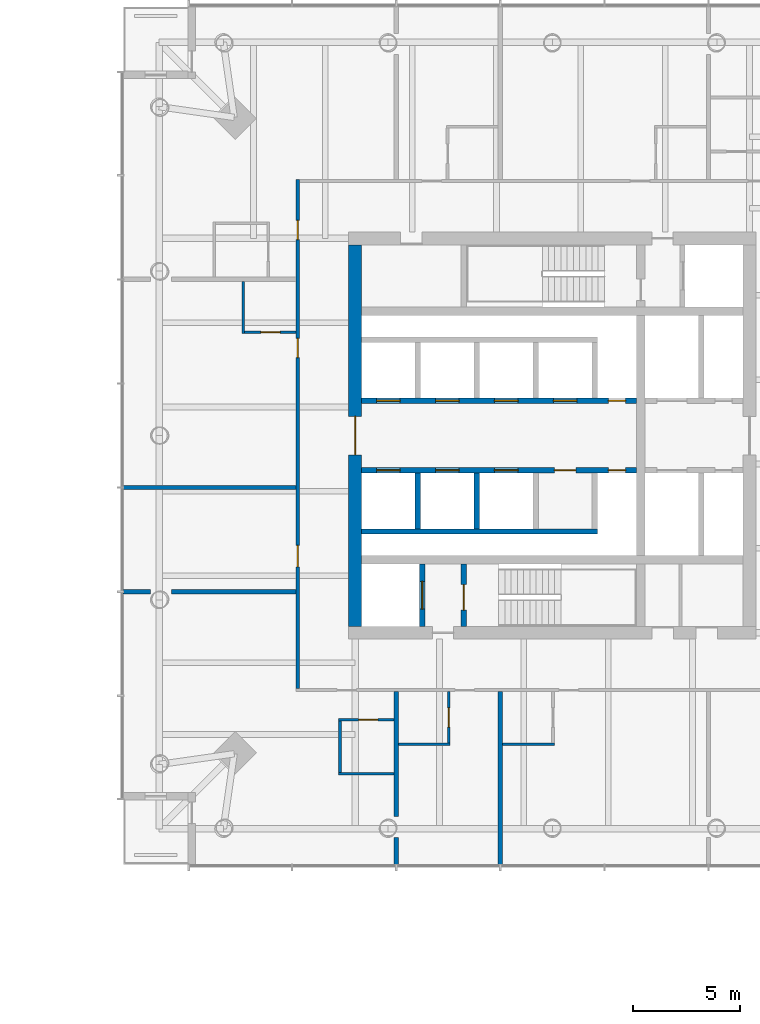
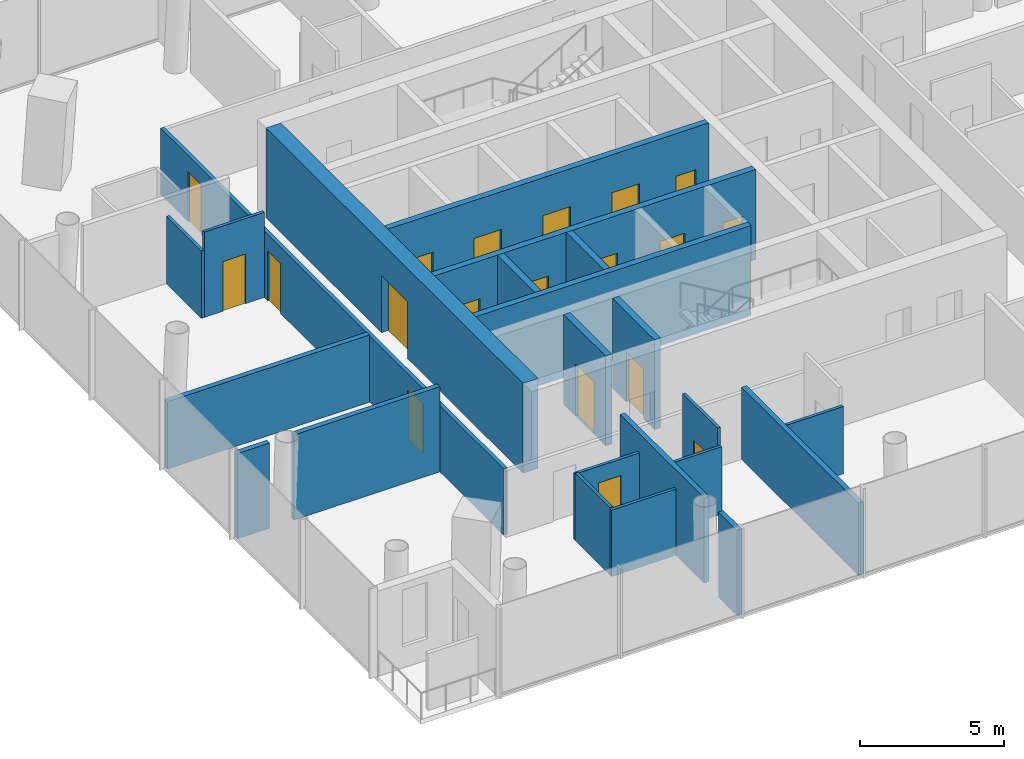
# One storey, part 13 of 26: 23 walls, 19 doors, 19 openings.
"""IFC4 building model written with IfcOpenShell, lengths in metres."""

from ifc_helpers import new_model, si_unit, direction, frame, frame_2d, origin, place, context, subcontext, project, spatial, rectangle, extrude, material, layer, layer_set, type_object, element, fill, save


model = new_model("IFC4")

# Units and contexts
model_context = context("Model", 3, precision=1e-05, world=origin(), true_north=direction((0.0, 1.0)))
body_context = subcontext(model_context, "Body", "Model", "MODEL_VIEW")
ifc_project = project(units=[si_unit("LENGTHUNIT", "METRE"), si_unit("AREAUNIT", "SQUARE_METRE"), si_unit("VOLUMEUNIT", "CUBIC_METRE"), si_unit("PLANEANGLEUNIT", "RADIAN"), si_unit("MASSUNIT", "GRAM", prefix="KILO")], contexts=[model_context])

# Site, building, storey
site_placement = place(None, origin())
site = spatial("IfcSite", under=ifc_project, at=site_placement, CompositionType="ELEMENT")
building_placement = place(site_placement, origin())
building = spatial("IfcBuilding", under=site, at=building_placement, Name="Ostroluk Exchange", CompositionType="ELEMENT")
storey_placement = place(building_placement, frame((0.0, 0.0, 36.199951171875)))
storey = spatial("IfcBuildingStorey", under=building, at=storey_placement, Name="L08", CompositionType="ELEMENT", Elevation=36.199951171875)

# Wall, opening, door
ifc_material_1 = material(Name="Concrete C40/50", Category="concrete")
ifc_layer_1 = layer(ifc_material_1, 0.25)
ifc_layer_set_1 = layer_set([ifc_layer_1], Name="Core shaft wall 250")
wall_type_1 = type_object("IfcWallType", Name="Core shaft wall 250", PredefinedType="SHEAR", material=ifc_layer_set_1)
wall_1_placement = place(storey_placement, frame((110.925048828125, 37.10009765625, 0.0), z_axis=(0.0, 0.0, 1.0), x_axis=(0.0, 1.0, 0.0)))
wall_1 = element("IfcWall", 1, at=wall_1_placement, inside=storey, type_object=wall_type_1, Name="Firefighting lift shaft wall", PredefinedType="SHEAR", context=body_context, shape_type="SweptSolid", body=[
    extrude(rectangle(XDim=2.89990234375, YDim=0.25, at=frame_2d((1.449951171875, 0.0))), origin(), (0.0, 0.0, 1.0), 3.800048828125),
])
opening_1_placement = place(wall_1_placement, frame((0.800048828125, 0.0, 0.0)))
opening_1 = element("IfcOpeningElement", 2, at=opening_1_placement, cuts=wall_1, Name="Opening LD2", PredefinedType="OPENING", context=body_context, shape_type="SweptSolid", body=[
    extrude(rectangle(XDim=1.300048828125, YDim=2.199951171875, at=frame_2d((0.64990234375, 1.10009765625))), frame((0.0, 0.135009765625, 0.0), z_axis=(0.0, -1.0, 0.0), x_axis=(1.0, 0.0, 0.0)), (0.0, 0.0, 1.0), 0.27001953125),
])
ifc_material_2 = material(Name="Stainless steel", Category="steel")
door_type_1 = type_object("IfcDoorType", Name="Lift landing door E 60 1300 x 2200", OperationType="DOUBLE_DOOR_SLIDING", PredefinedType="DOOR", material=ifc_material_2)
door_1_placement = place(opening_1_placement, origin())
door_1 = element("IfcDoor", 3, at=door_1_placement, inside=storey, type_object=door_type_1, Name="Lift HF1 landing door", OperationType="DOUBLE_DOOR_SLIDING", OverallHeight=2.199951171875, OverallWidth=1.300048828125, PredefinedType="DOOR", context=body_context, shape_type="SweptSolid", body=[
    extrude(rectangle(XDim=1.300048828125, YDim=2.199951171875, at=frame_2d((0.64990234375, 1.10009765625))), frame((0.0, 0.02490234375, 0.0), z_axis=(0.0, -1.0, 0.0), x_axis=(1.0, 0.0, 0.0)), (0.0, 0.0, 1.0), 0.050048828125),
])
fill(opening_1, door_1)

wall_2_placement = place(storey_placement, frame((112.875, 37.10009765625, 0.0), z_axis=(0.0, 0.0, 1.0), x_axis=(0.0, 1.0, 0.0)))
wall_2 = element("IfcWall", 4, at=wall_2_placement, inside=storey, type_object=wall_type_1, Name="Stair shaft wall", PredefinedType="SHEAR", context=body_context, shape_type="SweptSolid", body=[
    extrude(rectangle(XDim=2.89990234375, YDim=0.25, at=frame_2d((1.449951171875, 0.0))), origin(), (0.0, 0.0, 1.0), 3.800048828125),
])
opening_2_placement = place(wall_2_placement, frame((0.75, 0.0, 0.0)))
opening_2 = element("IfcOpeningElement", 5, at=opening_2_placement, cuts=wall_2, Name="Opening FD60S", PredefinedType="OPENING", context=body_context, shape_type="SweptSolid", body=[
    extrude(rectangle(XDim=1.199951171875, YDim=2.10009765625, at=frame_2d((0.60009765625, 1.050048828125))), frame((0.0, 0.135009765625, 0.0), z_axis=(0.0, -1.0, 0.0), x_axis=(1.0, 0.0, 0.0)), (0.0, 0.0, 1.0), 0.27001953125),
])
ifc_material_3 = material(Name="Steel", Category="steel")
door_type_2 = type_object("IfcDoorType", Name="Stair door EI 60 1200 x 2100", OperationType="SINGLE_SWING_LEFT", PredefinedType="DOOR", material=ifc_material_3)
door_2_placement = place(opening_2_placement, origin())
door_2 = element("IfcDoor", 6, at=door_2_placement, inside=storey, type_object=door_type_2, Name="Stair T2-S1 door", OperationType="SINGLE_SWING_LEFT", OverallHeight=2.10009765625, OverallWidth=1.199951171875, PredefinedType="DOOR", context=body_context, shape_type="SweptSolid", body=[
    extrude(rectangle(XDim=1.199951171875, YDim=2.10009765625, at=frame_2d((0.60009765625, 1.050048828125))), frame((0.0, 0.02490234375, 0.0), z_axis=(0.0, -1.0, 0.0), x_axis=(1.0, 0.0, 0.0)), (0.0, 0.0, 1.0), 0.050048828125),
])
fill(opening_2, door_2)

# Wall, openings, doors
wall_3_placement = place(storey_placement, frame((108.10009765625, 47.625, 0.0), z_axis=(0.0, 0.0, 1.0), x_axis=(1.0, 0.0, 0.0)))
wall_3 = element("IfcWall", 7, at=wall_3_placement, inside=storey, type_object=wall_type_1, Name="Lift shaft front wall", PredefinedType="SHEAR", context=body_context, shape_type="SweptSolid", body=[
    extrude(rectangle(XDim=12.829833984375, YDim=0.25, at=frame_2d((6.4150390625, 0.0))), origin(), (0.0, 0.0, 1.0), 3.800048828125),
])
opening_3_placement = place(wall_3_placement, frame((0.699951171875, 0.0, 0.0)))
opening_3 = element("IfcOpeningElement", 8, at=opening_3_placement, cuts=wall_3, Name="Opening LD", PredefinedType="OPENING", context=body_context, shape_type="SweptSolid", body=[
    extrude(rectangle(XDim=1.10009765625, YDim=2.199951171875, at=frame_2d((0.550048828125, 1.10009765625))), frame((0.0, 0.135009765625, 0.0), z_axis=(0.0, -1.0, 0.0), x_axis=(1.0, 0.0, 0.0)), (0.0, 0.0, 1.0), 0.27001953125),
])
opening_4_placement = place(wall_3_placement, frame((3.449951171875, 0.0, 0.0)))
opening_4 = element("IfcOpeningElement", 9, at=opening_4_placement, cuts=wall_3, Name="Opening LD", PredefinedType="OPENING", context=body_context, shape_type="SweptSolid", body=[
    extrude(rectangle(XDim=1.10009765625, YDim=2.199951171875, at=frame_2d((0.550048828125, 1.10009765625))), frame((0.0, 0.135009765625, 0.0), z_axis=(0.0, -1.0, 0.0), x_axis=(1.0, 0.0, 0.0)), (0.0, 0.0, 1.0), 0.27001953125),
])
opening_5_placement = place(wall_3_placement, frame((6.199951171875, 0.0, 0.0)))
opening_5 = element("IfcOpeningElement", 10, at=opening_5_placement, cuts=wall_3, Name="Opening LD", PredefinedType="OPENING", context=body_context, shape_type="SweptSolid", body=[
    extrude(rectangle(XDim=1.10009765625, YDim=2.199951171875, at=frame_2d((0.550048828125, 1.10009765625))), frame((0.0, 0.135009765625, 0.0), z_axis=(0.0, -1.0, 0.0), x_axis=(1.0, 0.0, 0.0)), (0.0, 0.0, 1.0), 0.27001953125),
])
opening_6_placement = place(wall_3_placement, frame((8.949951171875, 0.0, 0.0)))
opening_6 = element("IfcOpeningElement", 11, at=opening_6_placement, cuts=wall_3, Name="Opening LD", PredefinedType="OPENING", context=body_context, shape_type="SweptSolid", body=[
    extrude(rectangle(XDim=1.10009765625, YDim=2.199951171875, at=frame_2d((0.550048828125, 1.10009765625))), frame((0.0, 0.135009765625, 0.0), z_axis=(0.0, -1.0, 0.0), x_axis=(1.0, 0.0, 0.0)), (0.0, 0.0, 1.0), 0.27001953125),
])
opening_7_placement = place(wall_3_placement, frame((11.514892578125, 0.0, 0.0)))
opening_7 = element("IfcOpeningElement", 12, at=opening_7_placement, cuts=wall_3, Name="Opening RD60", PredefinedType="OPENING", context=body_context, shape_type="SweptSolid", body=[
    extrude(rectangle(XDim=0.800048828125, YDim=2.0, at=frame_2d((0.39990234375, 1.0))), frame((0.0, 0.135009765625, 0.0), z_axis=(0.0, -1.0, 0.0), x_axis=(1.0, 0.0, 0.0)), (0.0, 0.0, 1.0), 0.27001953125),
])
ifc_material_4 = material(Name="Stainless steel", Category="steel")
door_type_3 = type_object("IfcDoorType", Name="Lift landing door E 60 1100 x 2200", OperationType="DOUBLE_DOOR_SLIDING", PredefinedType="DOOR", material=ifc_material_4)
door_3_placement = place(opening_3_placement, origin())
door_3 = element("IfcDoor", 13, at=door_3_placement, inside=storey, type_object=door_type_3, Name="Lift HL1 landing door", OperationType="DOUBLE_DOOR_SLIDING", OverallHeight=2.199951171875, OverallWidth=1.10009765625, PredefinedType="DOOR", context=body_context, shape_type="SweptSolid", body=[
    extrude(rectangle(XDim=1.10009765625, YDim=2.199951171875, at=frame_2d((0.550048828125, 1.10009765625))), frame((0.0, 0.02490234375, 0.0), z_axis=(0.0, -1.0, 0.0), x_axis=(1.0, 0.0, 0.0)), (0.0, 0.0, 1.0), 0.050048828125),
])
fill(opening_3, door_3)
door_4_placement = place(opening_4_placement, origin())
door_4 = element("IfcDoor", 14, at=door_4_placement, inside=storey, type_object=door_type_3, Name="Lift HL2 landing door", OperationType="DOUBLE_DOOR_SLIDING", OverallHeight=2.199951171875, OverallWidth=1.10009765625, PredefinedType="DOOR", context=body_context, shape_type="SweptSolid", body=[
    extrude(rectangle(XDim=1.10009765625, YDim=2.199951171875, at=frame_2d((0.550048828125, 1.10009765625))), frame((0.0, 0.02490234375, 0.0), z_axis=(0.0, -1.0, 0.0), x_axis=(1.0, 0.0, 0.0)), (0.0, 0.0, 1.0), 0.050048828125),
])
fill(opening_4, door_4)
door_5_placement = place(opening_5_placement, origin())
door_5 = element("IfcDoor", 15, at=door_5_placement, inside=storey, type_object=door_type_3, Name="Lift HL3 landing door", OperationType="DOUBLE_DOOR_SLIDING", OverallHeight=2.199951171875, OverallWidth=1.10009765625, PredefinedType="DOOR", context=body_context, shape_type="SweptSolid", body=[
    extrude(rectangle(XDim=1.10009765625, YDim=2.199951171875, at=frame_2d((0.550048828125, 1.10009765625))), frame((0.0, 0.02490234375, 0.0), z_axis=(0.0, -1.0, 0.0), x_axis=(1.0, 0.0, 0.0)), (0.0, 0.0, 1.0), 0.050048828125),
])
fill(opening_5, door_5)
door_6_placement = place(opening_6_placement, origin())
door_6 = element("IfcDoor", 16, at=door_6_placement, inside=storey, type_object=door_type_3, Name="Lift HL4 landing door", OperationType="DOUBLE_DOOR_SLIDING", OverallHeight=2.199951171875, OverallWidth=1.10009765625, PredefinedType="DOOR", context=body_context, shape_type="SweptSolid", body=[
    extrude(rectangle(XDim=1.10009765625, YDim=2.199951171875, at=frame_2d((0.550048828125, 1.10009765625))), frame((0.0, 0.02490234375, 0.0), z_axis=(0.0, -1.0, 0.0), x_axis=(1.0, 0.0, 0.0)), (0.0, 0.0, 1.0), 0.050048828125),
])
fill(opening_6, door_6)
ifc_material_5 = material(Name="Steel", Category="steel")
door_type_4 = type_object("IfcDoorType", Name="Riser access door EI 60 800 x 2000", OperationType="SINGLE_SWING_LEFT", PredefinedType="DOOR", material=ifc_material_5)
door_7_placement = place(opening_7_placement, origin())
door_7 = element("IfcDoor", 17, at=door_7_placement, inside=storey, type_object=door_type_4, Name="Riser access door", OperationType="SINGLE_SWING_RIGHT", OverallHeight=2.0, OverallWidth=0.800048828125, PredefinedType="DOOR", context=body_context, shape_type="SweptSolid", body=[
    extrude(rectangle(XDim=0.800048828125, YDim=2.0, at=frame_2d((0.39990234375, 1.0))), frame((0.0, 0.02490234375, 0.0), z_axis=(0.0, -1.0, 0.0), x_axis=(1.0, 0.0, 0.0)), (0.0, 0.0, 1.0), 0.050048828125),
])
fill(opening_7, door_7)

# Walls
for number, where, z_axis, x_axis, name in (
    (18, (110.72509765625, 44.25, 0.0), (0.0, 0.0, 1.0), (0.0, -1.0, 0.0), "Lift shaft wall"),
    (19, (113.47509765625, 44.25, 0.0), (0.0, 0.0, 1.0), (0.0, -1.0, 0.0), "Lift shaft wall"),
):
    element("IfcWall", number, at=place(storey_placement, frame(where, z_axis=z_axis, x_axis=x_axis)), inside=storey, type_object=wall_type_1, Name=name, PredefinedType="SHEAR", context=body_context, shape_type="SweptSolid", body=[
        extrude(rectangle(XDim=2.60009765625, YDim=0.25, at=frame_2d((1.300048828125, 0.0))), origin(), (0.0, 0.0, 1.0), 3.800048828125),
    ])
wall_4_placement = place(storey_placement, frame((108.10009765625, 41.52490234375, 0.0), z_axis=(0.0, 0.0, 1.0), x_axis=(1.0, 0.0, 0.0)))
element("IfcWall", 20, at=wall_4_placement, inside=storey, type_object=wall_type_1, Name="Lift shaft wall", PredefinedType="SHEAR", context=body_context, shape_type="SweptSolid", body=[
    extrude(rectangle(XDim=11.0, YDim=0.25, at=frame_2d((5.5, 0.0))), origin(), (0.0, 0.0, 1.0), 3.800048828125),
])

# Wall, openings, doors
wall_5_placement = place(storey_placement, frame((108.10009765625, 44.375, 0.0), z_axis=(0.0, 0.0, 1.0), x_axis=(1.0, 0.0, 0.0)))
wall_5 = element("IfcWall", 21, at=wall_5_placement, inside=storey, type_object=wall_type_1, Name="Lift shaft front wall", PredefinedType="SHEAR", context=body_context, shape_type="SweptSolid", body=[
    extrude(rectangle(XDim=12.829833984375, YDim=0.25, at=frame_2d((6.4150390625, 0.0))), origin(), (0.0, 0.0, 1.0), 3.800048828125),
])
opening_8_placement = place(wall_5_placement, frame((0.699951171875, 0.0, 0.0)))
opening_8 = element("IfcOpeningElement", 22, at=opening_8_placement, cuts=wall_5, Name="Opening LD", PredefinedType="OPENING", context=body_context, shape_type="SweptSolid", body=[
    extrude(rectangle(XDim=1.10009765625, YDim=2.199951171875, at=frame_2d((0.550048828125, 1.10009765625))), frame((0.0, 0.135009765625, 0.0), z_axis=(0.0, -1.0, 0.0), x_axis=(1.0, 0.0, 0.0)), (0.0, 0.0, 1.0), 0.27001953125),
])
opening_9_placement = place(wall_5_placement, frame((3.449951171875, 0.0, 0.0)))
opening_9 = element("IfcOpeningElement", 23, at=opening_9_placement, cuts=wall_5, Name="Opening LD", PredefinedType="OPENING", context=body_context, shape_type="SweptSolid", body=[
    extrude(rectangle(XDim=1.10009765625, YDim=2.199951171875, at=frame_2d((0.550048828125, 1.10009765625))), frame((0.0, 0.135009765625, 0.0), z_axis=(0.0, -1.0, 0.0), x_axis=(1.0, 0.0, 0.0)), (0.0, 0.0, 1.0), 0.27001953125),
])
opening_10_placement = place(wall_5_placement, frame((6.199951171875, 0.0, 0.0)))
opening_10 = element("IfcOpeningElement", 24, at=opening_10_placement, cuts=wall_5, Name="Opening LD", PredefinedType="OPENING", context=body_context, shape_type="SweptSolid", body=[
    extrude(rectangle(XDim=1.10009765625, YDim=2.199951171875, at=frame_2d((0.550048828125, 1.10009765625))), frame((0.0, 0.135009765625, 0.0), z_axis=(0.0, -1.0, 0.0), x_axis=(1.0, 0.0, 0.0)), (0.0, 0.0, 1.0), 0.27001953125),
])
opening_11_placement = place(wall_5_placement, frame((9.0, 0.0, 0.0)))
opening_11 = element("IfcOpeningElement", 25, at=opening_11_placement, cuts=wall_5, Name="Opening FD60", PredefinedType="OPENING", context=body_context, shape_type="SweptSolid", body=[
    extrude(rectangle(XDim=1.0, YDim=2.10009765625, at=frame_2d((0.5, 1.050048828125))), frame((0.0, 0.135009765625, 0.0), z_axis=(0.0, -1.0, 0.0), x_axis=(1.0, 0.0, 0.0)), (0.0, 0.0, 1.0), 0.27001953125),
])
opening_12_placement = place(wall_5_placement, frame((11.514892578125, 0.0, 0.0)))
opening_12 = element("IfcOpeningElement", 26, at=opening_12_placement, cuts=wall_5, Name="Opening RD60", PredefinedType="OPENING", context=body_context, shape_type="SweptSolid", body=[
    extrude(rectangle(XDim=0.800048828125, YDim=2.0, at=frame_2d((0.39990234375, 1.0))), frame((0.0, 0.135009765625, 0.0), z_axis=(0.0, -1.0, 0.0), x_axis=(1.0, 0.0, 0.0)), (0.0, 0.0, 1.0), 0.27001953125),
])
ifc_material_6 = material(Name="Steel", Category="steel")
door_type_5 = type_object("IfcDoorType", Name="Fire door EI 60 1000 x 2100", OperationType="SINGLE_SWING_LEFT", PredefinedType="DOOR", material=ifc_material_6)
door_8_placement = place(opening_11_placement, origin())
door_8 = element("IfcDoor", 27, at=door_8_placement, inside=storey, type_object=door_type_5, Name="Core room door", OperationType="SINGLE_SWING_RIGHT", OverallHeight=2.10009765625, OverallWidth=1.0, PredefinedType="DOOR", context=body_context, shape_type="SweptSolid", body=[
    extrude(rectangle(XDim=1.0, YDim=2.10009765625, at=frame_2d((0.5, 1.050048828125))), frame((0.0, 0.02490234375, 0.0), z_axis=(0.0, -1.0, 0.0), x_axis=(1.0, 0.0, 0.0)), (0.0, 0.0, 1.0), 0.050048828125),
])
fill(opening_11, door_8)
door_9_placement = place(opening_8_placement, origin())
door_9 = element("IfcDoor", 28, at=door_9_placement, inside=storey, type_object=door_type_3, Name="Lift HL5 landing door", OperationType="DOUBLE_DOOR_SLIDING", OverallHeight=2.199951171875, OverallWidth=1.10009765625, PredefinedType="DOOR", context=body_context, shape_type="SweptSolid", body=[
    extrude(rectangle(XDim=1.10009765625, YDim=2.199951171875, at=frame_2d((0.550048828125, 1.10009765625))), frame((0.0, 0.02490234375, 0.0), z_axis=(0.0, -1.0, 0.0), x_axis=(1.0, 0.0, 0.0)), (0.0, 0.0, 1.0), 0.050048828125),
])
fill(opening_8, door_9)
door_10_placement = place(opening_9_placement, origin())
door_10 = element("IfcDoor", 29, at=door_10_placement, inside=storey, type_object=door_type_3, Name="Lift HL6 landing door", OperationType="DOUBLE_DOOR_SLIDING", OverallHeight=2.199951171875, OverallWidth=1.10009765625, PredefinedType="DOOR", context=body_context, shape_type="SweptSolid", body=[
    extrude(rectangle(XDim=1.10009765625, YDim=2.199951171875, at=frame_2d((0.550048828125, 1.10009765625))), frame((0.0, 0.02490234375, 0.0), z_axis=(0.0, -1.0, 0.0), x_axis=(1.0, 0.0, 0.0)), (0.0, 0.0, 1.0), 0.050048828125),
])
fill(opening_9, door_10)
door_11_placement = place(opening_10_placement, origin())
door_11 = element("IfcDoor", 30, at=door_11_placement, inside=storey, type_object=door_type_3, Name="Lift HL7 landing door", OperationType="DOUBLE_DOOR_SLIDING", OverallHeight=2.199951171875, OverallWidth=1.10009765625, PredefinedType="DOOR", context=body_context, shape_type="SweptSolid", body=[
    extrude(rectangle(XDim=1.10009765625, YDim=2.199951171875, at=frame_2d((0.550048828125, 1.10009765625))), frame((0.0, 0.02490234375, 0.0), z_axis=(0.0, -1.0, 0.0), x_axis=(1.0, 0.0, 0.0)), (0.0, 0.0, 1.0), 0.050048828125),
])
fill(opening_10, door_11)
door_12_placement = place(opening_12_placement, origin())
door_12 = element("IfcDoor", 31, at=door_12_placement, inside=storey, type_object=door_type_4, Name="Riser access door", OperationType="SINGLE_SWING_RIGHT", OverallHeight=2.0, OverallWidth=0.800048828125, PredefinedType="DOOR", context=body_context, shape_type="SweptSolid", body=[
    extrude(rectangle(XDim=0.800048828125, YDim=2.0, at=frame_2d((0.39990234375, 1.0))), frame((0.0, 0.02490234375, 0.0), z_axis=(0.0, -1.0, 0.0), x_axis=(1.0, 0.0, 0.0)), (0.0, 0.0, 1.0), 0.050048828125),
])
fill(opening_12, door_12)

# Wall, opening, door
ifc_material_7 = material(Name="Concrete C50/60", Category="concrete")
ifc_layer_2 = layer(ifc_material_7, 0.60009765625)
ifc_layer_set_2 = layer_set([ifc_layer_2], Name="Core wall 600 C50/60")
wall_type_2 = type_object("IfcWallType", Name="Core wall 600 C50/60", PredefinedType="SHEAR", material=ifc_layer_set_2)
wall_6_placement = place(storey_placement, frame((107.800048828125, 37.10009765625, 0.0), z_axis=(0.0, 0.0, 1.0), x_axis=(0.0, 1.0, 0.0)))
wall_6 = element("IfcWall", 32, at=wall_6_placement, inside=storey, type_object=wall_type_2, Name="T2 core wall W", PredefinedType="SHEAR", context=body_context, shape_type="SweptSolid", body=[
    extrude(rectangle(XDim=17.7998046875, YDim=0.60009765625, at=frame_2d((8.89990234375, 0.0))), origin(), (0.0, 0.0, 1.0), 3.800048828125),
])
opening_13_placement = place(wall_6_placement, frame((8.0, 0.0, 0.0)))
opening_13 = element("IfcOpeningElement", 33, at=opening_13_placement, cuts=wall_6, Name="Opening FD30D", PredefinedType="OPENING", context=body_context, shape_type="SweptSolid", body=[
    extrude(rectangle(XDim=1.800048828125, YDim=2.39990234375, at=frame_2d((0.89990234375, 1.199951171875))), frame((0.0, 0.31005859375, 0.0), z_axis=(0.0, -1.0, 0.0), x_axis=(1.0, 0.0, 0.0)), (0.0, 0.0, 1.0), 0.6201171875),
])
ifc_material_8 = material(Name="Timber", Category="wood")
door_type_6 = type_object("IfcDoorType", Name="Lobby double door EI 30 1800 x 2400", OperationType="DOUBLE_DOOR_SINGLE_SWING", PredefinedType="DOOR", material=ifc_material_8)
door_13_placement = place(opening_13_placement, origin())
door_13 = element("IfcDoor", 34, at=door_13_placement, inside=storey, type_object=door_type_6, Name="Lift lobby doors", OperationType="DOUBLE_DOOR_SINGLE_SWING", OverallHeight=2.39990234375, OverallWidth=1.800048828125, PredefinedType="DOOR", context=body_context, shape_type="SweptSolid", body=[
    extrude(rectangle(XDim=1.800048828125, YDim=2.39990234375, at=frame_2d((0.89990234375, 1.199951171875))), frame((0.0, 0.02490234375, 0.0), z_axis=(0.0, -1.0, 0.0), x_axis=(1.0, 0.0, 0.0)), (0.0, 0.0, 1.0), 0.050048828125),
])
fill(opening_13, door_13)

# Wall
ifc_material_9 = material(Name="Gypsum plasterboard partition, moisture resistant", Category="gypsum")
ifc_layer_3 = layer(ifc_material_9, 0.1201171875)
ifc_layer_set_3 = layer_set([ifc_layer_3], Name="Plasterboard en-suite wall 120")
wall_type_3 = type_object("IfcWallType", Name="Plasterboard en-suite wall 120", PredefinedType="PARTITIONING", material=ifc_layer_set_3)
wall_7_placement = place(storey_placement, frame((102.590087890625, 53.185791015625, 0.0), z_axis=(0.0, 0.0, 1.0), x_axis=(0.0, -1.0, 0.0)))
element("IfcWall", 35, at=wall_7_placement, inside=storey, type_object=wall_type_3, Name="En-suite wall", PredefinedType="PARTITIONING", context=body_context, shape_type="SweptSolid", body=[
    extrude(rectangle(XDim=2.420166015625, YDim=0.1201171875, at=frame_2d((1.2099609375, 0.0))), origin(), (0.0, 0.0, 1.0), 2.84716796875),
])

# Wall, opening, door
wall_8_placement = place(storey_placement, frame((105.050048828125, 50.82568359375, 0.0), z_axis=(0.0, 0.0, 1.0), x_axis=(-1.0, 0.0, 0.0)))
wall_8 = element("IfcWall", 36, at=wall_8_placement, inside=storey, type_object=wall_type_3, Name="En-suite wall", PredefinedType="PARTITIONING", context=body_context, shape_type="SweptSolid", body=[
    extrude(rectangle(XDim=2.400146484375, YDim=0.1201171875, at=frame_2d((1.2001953125, 0.0))), origin(), (0.0, 0.0, 1.0), 3.60009765625),
])
opening_14_placement = place(wall_8_placement, frame((0.75, 0.0, 0.0)))
opening_14 = element("IfcOpeningElement", 37, at=opening_14_placement, cuts=wall_8, Name="Opening D-02", PredefinedType="OPENING", context=body_context, shape_type="SweptSolid", body=[
    extrude(rectangle(XDim=0.89990234375, YDim=2.10009765625, at=frame_2d((0.449951171875, 1.050048828125))), frame((0.0, 0.070068359375, 0.0), z_axis=(0.0, -1.0, 0.0), x_axis=(1.0, 0.0, 0.0)), (0.0, 0.0, 1.0), 0.14013671875),
])
ifc_material_10 = material(Name="Timber", Category="wood")
door_type_7 = type_object("IfcDoorType", Name="En-suite door 900 x 2100", OperationType="SINGLE_SWING_LEFT", PredefinedType="DOOR", material=ifc_material_10)
door_14_placement = place(opening_14_placement, origin())
door_14 = element("IfcDoor", 38, at=door_14_placement, inside=storey, type_object=door_type_7, Name="En-suite door 808", OperationType="SINGLE_SWING_RIGHT", OverallHeight=2.10009765625, OverallWidth=0.89990234375, PredefinedType="DOOR", context=body_context, shape_type="SweptSolid", body=[
    extrude(rectangle(XDim=0.89990234375, YDim=2.10009765625, at=frame_2d((0.449951171875, 1.050048828125))), frame((0.0, 0.02490234375, 0.0), z_axis=(0.0, -1.0, 0.0), x_axis=(1.0, 0.0, 0.0)), (0.0, 0.0, 1.0), 0.050048828125),
])
fill(opening_14, door_14)

wall_9_placement = place(storey_placement, frame((109.6142578125, 32.75, 0.0), z_axis=(0.0, 0.0, 1.0), x_axis=(-1.0, 0.0, 0.0)))
wall_9 = element("IfcWall", 39, at=wall_9_placement, inside=storey, type_object=wall_type_3, Name="En-suite wall", PredefinedType="PARTITIONING", context=body_context, shape_type="SweptSolid", body=[
    extrude(rectangle(XDim=2.580078125, YDim=0.1201171875, at=frame_2d((1.2900390625, 0.0))), origin(), (0.0, 0.0, 1.0), 2.800048828125),
])
opening_15_placement = place(wall_9_placement, frame((0.75, 0.0, 0.0)))
opening_15 = element("IfcOpeningElement", 40, at=opening_15_placement, cuts=wall_9, Name="Opening D-02", PredefinedType="OPENING", context=body_context, shape_type="SweptSolid", body=[
    extrude(rectangle(XDim=0.89990234375, YDim=2.10009765625, at=frame_2d((0.449951171875, 1.050048828125))), frame((0.0, 0.070068359375, 0.0), z_axis=(0.0, -1.0, 0.0), x_axis=(1.0, 0.0, 0.0)), (0.0, 0.0, 1.0), 0.14013671875),
])
door_15_placement = place(opening_15_placement, origin())
door_15 = element("IfcDoor", 41, at=door_15_placement, inside=storey, type_object=door_type_7, Name="En-suite door 809", OperationType="SINGLE_SWING_LEFT", OverallHeight=2.10009765625, OverallWidth=0.89990234375, PredefinedType="DOOR", context=body_context, shape_type="SweptSolid", body=[
    extrude(rectangle(XDim=0.89990234375, YDim=2.10009765625, at=frame_2d((0.449951171875, 1.050048828125))), frame((0.0, 0.02490234375, 0.0), z_axis=(0.0, -1.0, 0.0), x_axis=(1.0, 0.0, 0.0)), (0.0, 0.0, 1.0), 0.050048828125),
])
fill(opening_15, door_15)

# Walls
wall_10_placement = place(storey_placement, frame((109.6142578125, 30.22998046875, 0.0), z_axis=(0.0, 0.0, 1.0), x_axis=(-1.0, 0.0, 0.0)))
element("IfcWall", 42, at=wall_10_placement, inside=storey, type_object=wall_type_3, Name="En-suite wall", PredefinedType="PARTITIONING", context=body_context, shape_type="SweptSolid", body=[
    extrude(rectangle(XDim=2.580078125, YDim=0.1201171875, at=frame_2d((1.2900390625, 0.0))), origin(), (0.0, 0.0, 1.0), 2.800048828125),
])
wall_11_placement = place(storey_placement, frame((107.09423828125, 32.68994140625, 0.0), z_axis=(0.0, 0.0, 1.0), x_axis=(0.0, -1.0, 0.0)))
element("IfcWall", 43, at=wall_11_placement, inside=storey, type_object=wall_type_3, Name="En-suite wall", PredefinedType="PARTITIONING", context=body_context, shape_type="SweptSolid", body=[
    extrude(rectangle(XDim=2.39990234375, YDim=0.1201171875, at=frame_2d((1.199951171875, 0.0))), origin(), (0.0, 0.0, 1.0), 2.84716796875),
])
wall_12_placement = place(storey_placement, frame((109.814208984375, 31.590087890625, 0.0), z_axis=(0.0, 0.0, 1.0), x_axis=(1.0, 0.0, 0.0)))
element("IfcWall", 44, at=wall_12_placement, inside=storey, type_object=wall_type_3, Name="En-suite wall", PredefinedType="PARTITIONING", context=body_context, shape_type="SweptSolid", body=[
    extrude(rectangle(XDim=2.420166015625, YDim=0.1201171875, at=frame_2d((1.2099609375, 0.0))), origin(), (0.0, 0.0, 1.0), 2.84716796875),
])

# Wall, opening, door
wall_13_placement = place(storey_placement, frame((112.17431640625, 34.050048828125, 0.0), z_axis=(0.0, 0.0, 1.0), x_axis=(0.0, -1.0, 0.0)))
wall_13 = element("IfcWall", 45, at=wall_13_placement, inside=storey, type_object=wall_type_3, Name="En-suite wall", PredefinedType="PARTITIONING", context=body_context, shape_type="SweptSolid", body=[
    extrude(rectangle(XDim=2.400146484375, YDim=0.1201171875, at=frame_2d((1.2001953125, 0.0))), origin(), (0.0, 0.0, 1.0), 3.60009765625),
])
opening_16_placement = place(wall_13_placement, frame((0.75, 0.0, 0.0)))
opening_16 = element("IfcOpeningElement", 46, at=opening_16_placement, cuts=wall_13, Name="Opening D-02", PredefinedType="OPENING", context=body_context, shape_type="SweptSolid", body=[
    extrude(rectangle(XDim=0.89990234375, YDim=2.10009765625, at=frame_2d((0.449951171875, 1.050048828125))), frame((0.0, 0.070068359375, 0.0), z_axis=(0.0, -1.0, 0.0), x_axis=(1.0, 0.0, 0.0)), (0.0, 0.0, 1.0), 0.14013671875),
])
door_16_placement = place(opening_16_placement, origin())
door_16 = element("IfcDoor", 47, at=door_16_placement, inside=storey, type_object=door_type_7, Name="En-suite door 810", OperationType="SINGLE_SWING_RIGHT", OverallHeight=2.10009765625, OverallWidth=0.89990234375, PredefinedType="DOOR", context=body_context, shape_type="SweptSolid", body=[
    extrude(rectangle(XDim=0.89990234375, YDim=2.10009765625, at=frame_2d((0.449951171875, 1.050048828125))), frame((0.0, 0.02490234375, 0.0), z_axis=(0.0, -1.0, 0.0), x_axis=(1.0, 0.0, 0.0)), (0.0, 0.0, 1.0), 0.050048828125),
])
fill(opening_16, door_16)

# Wall
wall_14_placement = place(storey_placement, frame((114.67138671875, 31.590087890625, 0.0), z_axis=(0.0, 0.0, 1.0), x_axis=(1.0, 0.0, 0.0)))
element("IfcWall", 48, at=wall_14_placement, inside=storey, type_object=wall_type_3, Name="En-suite wall", PredefinedType="PARTITIONING", context=body_context, shape_type="SweptSolid", body=[
    extrude(rectangle(XDim=2.419921875, YDim=0.1201171875, at=frame_2d((1.2099609375, 0.0))), origin(), (0.0, 0.0, 1.0), 2.84716796875),
])

# Wall, openings, doors
ifc_material_11 = material(Name="Gypsum plasterboard partition", Category="gypsum")
ifc_layer_4 = layer(ifc_material_11, 0.14990234375)
ifc_layer_set_4 = layer_set([ifc_layer_4], Name="Plasterboard partition 150")
wall_type_4 = type_object("IfcWallType", Name="Plasterboard partition 150", PredefinedType="PARTITIONING", material=ifc_layer_set_4)
wall_15_placement = place(storey_placement, frame((105.125, 57.949951171875, 0.0), z_axis=(0.0, 0.0, 1.0), x_axis=(0.0, -1.0, 0.0)))
wall_15 = element("IfcWall", 49, at=wall_15_placement, inside=storey, type_object=wall_type_4, Name="Corridor wall", PredefinedType="PARTITIONING", context=body_context, shape_type="SweptSolid", body=[
    extrude(rectangle(XDim=23.75, YDim=0.14990234375, at=frame_2d((11.875, 0.0))), origin(), (0.0, 0.0, 1.0), 2.800048828125),
])
opening_17_placement = place(wall_15_placement, frame((1.9072265625, 0.0, 0.0)))
opening_17 = element("IfcOpeningElement", 50, at=opening_17_placement, cuts=wall_15, Name="Opening D-01", PredefinedType="OPENING", context=body_context, shape_type="SweptSolid", body=[
    extrude(rectangle(XDim=0.89990234375, YDim=2.10009765625, at=frame_2d((0.449951171875, 1.050048828125))), frame((0.0, 0.0849609375, 0.0), z_axis=(0.0, -1.0, 0.0), x_axis=(1.0, 0.0, 0.0)), (0.0, 0.0, 1.0), 0.169921875),
])
opening_18_placement = place(wall_15_placement, frame((7.414306640625, 0.0, 0.0)))
opening_18 = element("IfcOpeningElement", 51, at=opening_18_placement, cuts=wall_15, Name="Opening D-01", PredefinedType="OPENING", context=body_context, shape_type="SweptSolid", body=[
    extrude(rectangle(XDim=0.89990234375, YDim=2.10009765625, at=frame_2d((0.449951171875, 1.050048828125))), frame((0.0, 0.0849609375, 0.0), z_axis=(0.0, -1.0, 0.0), x_axis=(1.0, 0.0, 0.0)), (0.0, 0.0, 1.0), 0.169921875),
])
opening_19_placement = place(wall_15_placement, frame((17.07861328125, 0.0, 0.0)))
opening_19 = element("IfcOpeningElement", 52, at=opening_19_placement, cuts=wall_15, Name="Opening D-03", PredefinedType="OPENING", context=body_context, shape_type="SweptSolid", body=[
    extrude(rectangle(XDim=1.0, YDim=2.10009765625, at=frame_2d((0.5, 1.050048828125))), frame((0.0, 0.0849609375, 0.0), z_axis=(0.0, -1.0, 0.0), x_axis=(1.0, 0.0, 0.0)), (0.0, 0.0, 1.0), 0.169921875),
])
ifc_material_12 = material(Name="Timber", Category="wood")
door_type_8 = type_object("IfcDoorType", Name="Hotel room door EI 30 Sa 900 x 2100", OperationType="SINGLE_SWING_LEFT", PredefinedType="DOOR", material=ifc_material_12)
door_17_placement = place(opening_17_placement, origin())
door_17 = element("IfcDoor", 53, at=door_17_placement, inside=storey, type_object=door_type_8, Name="Room door 807", OperationType="SINGLE_SWING_LEFT", OverallHeight=2.10009765625, OverallWidth=0.89990234375, PredefinedType="DOOR", context=body_context, shape_type="SweptSolid", body=[
    extrude(rectangle(XDim=0.89990234375, YDim=2.10009765625, at=frame_2d((0.449951171875, 1.050048828125))), frame((0.0, 0.02490234375, 0.0), z_axis=(0.0, -1.0, 0.0), x_axis=(1.0, 0.0, 0.0)), (0.0, 0.0, 1.0), 0.050048828125),
])
fill(opening_17, door_17)
door_18_placement = place(opening_18_placement, origin())
door_18 = element("IfcDoor", 54, at=door_18_placement, inside=storey, type_object=door_type_8, Name="Room door 808", OperationType="SINGLE_SWING_LEFT", OverallHeight=2.10009765625, OverallWidth=0.89990234375, PredefinedType="DOOR", context=body_context, shape_type="SweptSolid", body=[
    extrude(rectangle(XDim=0.89990234375, YDim=2.10009765625, at=frame_2d((0.449951171875, 1.050048828125))), frame((0.0, 0.02490234375, 0.0), z_axis=(0.0, -1.0, 0.0), x_axis=(1.0, 0.0, 0.0)), (0.0, 0.0, 1.0), 0.050048828125),
])
fill(opening_18, door_18)
ifc_material_13 = material(Name="Timber", Category="wood")
door_type_9 = type_object("IfcDoorType", Name="Internal door 1000 x 2100", OperationType="SINGLE_SWING_LEFT", PredefinedType="DOOR", material=ifc_material_13)
door_19_placement = place(opening_19_placement, origin())
door_19 = element("IfcDoor", 55, at=door_19_placement, inside=storey, type_object=door_type_9, Name="Housekeeping store door", OperationType="SINGLE_SWING_RIGHT", OverallHeight=2.10009765625, OverallWidth=1.0, PredefinedType="DOOR", context=body_context, shape_type="SweptSolid", body=[
    extrude(rectangle(XDim=1.0, YDim=2.10009765625, at=frame_2d((0.5, 1.050048828125))), frame((0.0, 0.02490234375, 0.0), z_axis=(0.0, -1.0, 0.0), x_axis=(1.0, 0.0, 0.0)), (0.0, 0.0, 1.0), 0.050048828125),
])
fill(opening_19, door_19)

# Walls
ifc_material_14 = material(Name="Gypsum plasterboard partition", Category="gypsum")
ifc_layer_5 = layer(ifc_material_14, 0.199951171875)
ifc_layer_set_5 = layer_set([ifc_layer_5], Name="Plasterboard party wall 200")
wall_type_5 = type_object("IfcWallType", Name="Plasterboard party wall 200", PredefinedType="PARTITIONING", material=ifc_layer_set_5)
wall_16_placement = place(storey_placement, frame((105.050048828125, 43.571533203125, 0.0), z_axis=(0.0, 0.0, 1.0), x_axis=(-1.0, 0.0, 0.0)))
element("IfcWall", 56, at=wall_16_placement, inside=storey, type_object=wall_type_5, Name="Party wall", PredefinedType="PARTITIONING", context=body_context, shape_type="SweptSolid", body=[
    extrude(rectangle(XDim=8.090087890625, YDim=0.199951171875, at=frame_2d((4.044921875, 0.0))), origin(), (0.0, 0.0, 1.0), 2.84716796875),
])
wall_17_placement = place(storey_placement, frame((105.050048828125, 38.71435546875, 0.0), z_axis=(0.0, 0.0, 1.0), x_axis=(-1.0, 0.0, 0.0)))
element("IfcWall", 57, at=wall_17_placement, inside=storey, type_object=wall_type_5, Name="Party wall", PredefinedType="PARTITIONING", context=body_context, shape_type="SweptSolid", body=[
    extrude(rectangle(XDim=5.824462890625, YDim=0.199951171875, at=frame_2d((2.912109375, 0.0))), origin(), (0.0, 0.0, 1.0), 3.60009765625),
])
wall_18_placement = place(storey_placement, frame((98.248779296875, 38.71435546875, 0.0), z_axis=(0.0, 0.0, 1.0), x_axis=(-1.0, 0.0, 0.0)))
element("IfcWall", 58, at=wall_18_placement, inside=storey, type_object=wall_type_5, Name="Party wall", PredefinedType="PARTITIONING", context=body_context, shape_type="SweptSolid", body=[
    extrude(rectangle(XDim=1.288818359375, YDim=0.199951171875, at=frame_2d((0.64453125, 0.0))), origin(), (0.0, 0.0, 1.0), 3.60009765625),
])
wall_19_placement = place(storey_placement, frame((109.71435546875, 34.050048828125, 0.0), z_axis=(0.0, 0.0, 1.0), x_axis=(0.0, -1.0, 0.0)))
element("IfcWall", 59, at=wall_19_placement, inside=storey, type_object=wall_type_5, Name="Party wall", PredefinedType="PARTITIONING", context=body_context, shape_type="SweptSolid", body=[
    extrude(rectangle(XDim=5.824462890625, YDim=0.199951171875, at=frame_2d((2.912109375, 0.0))), origin(), (0.0, 0.0, 1.0), 3.60009765625),
])
wall_20_placement = place(storey_placement, frame((109.71435546875, 27.248779296875, 0.0), z_axis=(0.0, 0.0, 1.0), x_axis=(0.0, -1.0, 0.0)))
element("IfcWall", 60, at=wall_20_placement, inside=storey, type_object=wall_type_5, Name="Party wall", PredefinedType="PARTITIONING", context=body_context, shape_type="SweptSolid", body=[
    extrude(rectangle(XDim=1.288818359375, YDim=0.199951171875, at=frame_2d((0.64453125, 0.0))), origin(), (0.0, 0.0, 1.0), 3.60009765625),
])
wall_21_placement = place(storey_placement, frame((114.571533203125, 34.050048828125, 0.0), z_axis=(0.0, 0.0, 1.0), x_axis=(0.0, -1.0, 0.0)))
element("IfcWall", 61, at=wall_21_placement, inside=storey, type_object=wall_type_5, Name="Party wall", PredefinedType="PARTITIONING", context=body_context, shape_type="SweptSolid", body=[
    extrude(rectangle(XDim=8.090087890625, YDim=0.199951171875, at=frame_2d((4.044921875, 0.0))), origin(), (0.0, 0.0, 1.0), 3.050048828125),
])

save(model, "model.ifc")
